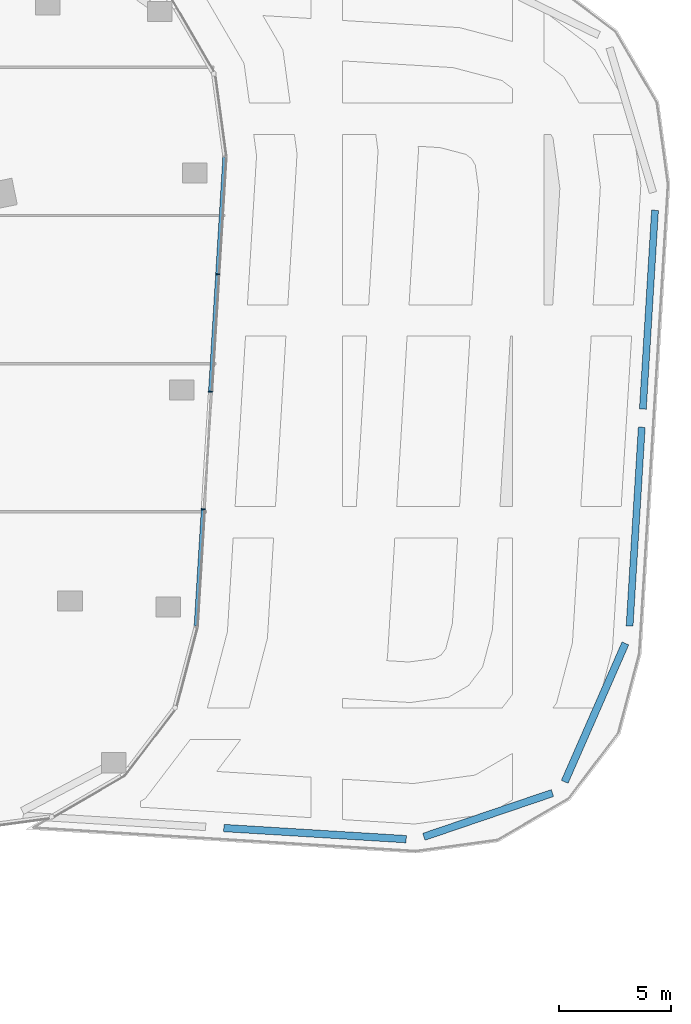
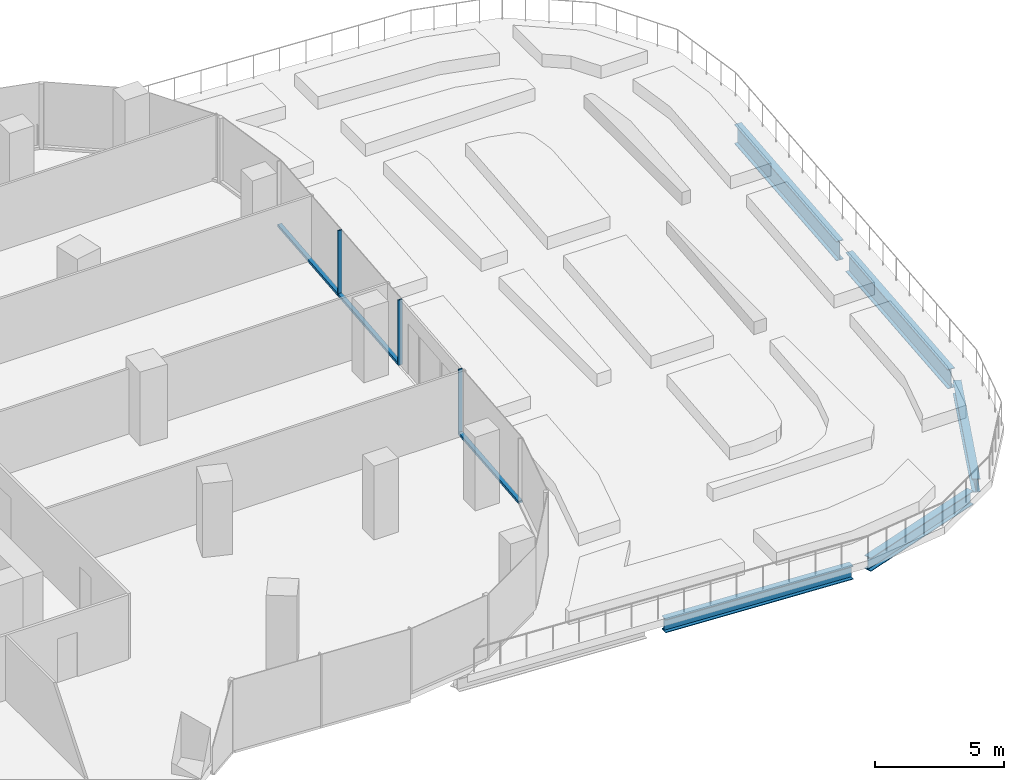
# One storey, part 8 of 26: 5 beams, 5 members, 1 element without a shape of its own.
"""IFC4 building model written with IfcOpenShell, lengths in metres."""

from ifc_helpers import new_model, si_unit, direction, frame, origin, origin_2d, place, context, subcontext, project, spatial, rectangle, i_section, extrude, material, material_profile, profile_set, type_object, element, aggregate, save


model = new_model("IFC4")

# Units and contexts
model_context = context("Model", 3, precision=1e-05, world=origin(), true_north=direction((0.0, 1.0)))
body_context = subcontext(model_context, "Body", "Model", "MODEL_VIEW")
ifc_project = project(units=[si_unit("LENGTHUNIT", "METRE"), si_unit("AREAUNIT", "SQUARE_METRE"), si_unit("VOLUMEUNIT", "CUBIC_METRE"), si_unit("PLANEANGLEUNIT", "RADIAN"), si_unit("MASSUNIT", "GRAM", prefix="KILO")], contexts=[model_context])

# Site, building, storey
site_placement = place(None, origin())
site = spatial("IfcSite", under=ifc_project, at=site_placement, CompositionType="ELEMENT")
building_placement = place(site_placement, origin())
building = spatial("IfcBuilding", under=site, at=building_placement, Name="Orlundy Tower", CompositionType="ELEMENT")
storey_placement = place(building_placement, frame((0.0, 0.0, 156.10009765625)))
storey = spatial("IfcBuildingStorey", under=building, at=storey_placement, Name="L40", CompositionType="ELEMENT", Elevation=156.10009765625)

# Curtain wall, members
ifc_material_1 = material(Name="Aluminium bronze anodised", Category="aluminium")
curtain_wall_type = type_object("IfcCurtainWallType", Name="CW1 wall", PredefinedType="NOTDEFINED", material=ifc_material_1)
curtain_wall_placement = place(storey_placement, origin())
curtain_wall = element("IfcCurtainWall", 1, at=curtain_wall_placement, inside=storey, type_object=curtain_wall_type, Name="CW1 run 011", PredefinedType="NOTDEFINED")
ifc_material_2 = material(Name="Aluminium bronze anodised", Category="aluminium")
ifc_material_profile_1 = material_profile(ifc_material_2, rectangle(XDim=0.179931640625, YDim=0.050048828125, at=origin_2d()), Name="CW1 mullion 50x180")
ifc_profile_set_1 = profile_set([ifc_material_profile_1], Name="Aluminium bronze anodised")
member_type_1 = type_object("IfcMemberType", Name="CW1 mullion 50x180", PredefinedType="MULLION", material=ifc_profile_set_1)
member_1_placement = place(storey_placement, frame((40.834228515625, 2.76220703125, 0.0), z_axis=(0.0, 0.0, 1.0), x_axis=(0.998134884544, -0.061047131434, 0.0)))
member_1 = element("IfcMember", 2, at=member_1_placement, type_object=member_type_1, Name="CW1 mullion 33", PredefinedType="MULLION", context=body_context, shape_type="SweptSolid", body=[
    extrude(rectangle(XDim=0.179931640625, YDim=0.050048828125, at=origin_2d()), origin(), (0.0, 0.0, 1.0), 3.099853515625),
])
member_2_placement = place(storey_placement, frame((40.513916015625, -2.47802734375, 0.0), z_axis=(0.0, 0.0, 1.0), x_axis=(0.998134884544, -0.061047131434, 0.0)))
member_2 = element("IfcMember", 3, at=member_2_placement, type_object=member_type_1, Name="CW1 mullion 34", PredefinedType="MULLION", context=body_context, shape_type="SweptSolid", body=[
    extrude(rectangle(XDim=0.179931640625, YDim=0.050048828125, at=origin_2d()), origin(), (0.0, 0.0, 1.0), 3.099853515625),
])
member_3_placement = place(storey_placement, frame((40.193359375, -7.71826171875, 0.0), z_axis=(0.0, 0.0, 1.0), x_axis=(0.998134884544, -0.061047131434, 0.0)))
member_3 = element("IfcMember", 4, at=member_3_placement, type_object=member_type_1, Name="CW1 mullion 35", PredefinedType="MULLION", context=body_context, shape_type="SweptSolid", body=[
    extrude(rectangle(XDim=0.179931640625, YDim=0.050048828125, at=origin_2d()), origin(), (0.0, 0.0, 1.0), 3.099853515625),
])
ifc_material_3 = material(Name="Aluminium bronze anodised", Category="aluminium")
ifc_material_profile_2 = material_profile(ifc_material_3, rectangle(XDim=0.179931640625, YDim=0.1201171875, at=origin_2d()), Name="CW1 transom 180x120")
ifc_profile_set_2 = profile_set([ifc_material_profile_2], Name="Aluminium bronze anodised")
member_type_2 = type_object("IfcMemberType", Name="CW1 transom 180x120", PredefinedType="USERDEFINED", material=ifc_profile_set_2)
member_4_placement = place(storey_placement, frame((41.15380859375, 7.986328125, 0.059814453125), z_axis=(-0.061041245659, -0.998135244508, 0.0), x_axis=(0.998135244508, -0.061041245659, 0.0)))
member_4 = element("IfcMember", 5, at=member_4_placement, type_object=member_type_2, Name="CW1 transom", ObjectType="TRANSOM", PredefinedType="USERDEFINED", context=body_context, shape_type="SweptSolid", body=[
    extrude(rectangle(XDim=0.179931640625, YDim=0.1201171875, at=origin_2d()), origin(), (0.0, 0.0, 1.0), 10.458984375),
])
member_5_placement = place(storey_placement, frame((40.19189453125, -7.7431640625, 0.059814453125), z_axis=(-0.061070992329, -0.998133424897, 0.0), x_axis=(0.998133424897, -0.061070992329, 0.0)))
member_5 = element("IfcMember", 6, at=member_5_placement, type_object=member_type_2, Name="CW1 transom", ObjectType="TRANSOM", PredefinedType="USERDEFINED", context=body_context, shape_type="SweptSolid", body=[
    extrude(rectangle(XDim=0.179931640625, YDim=0.1201171875, at=origin_2d()), origin(), (0.0, 0.0, 1.0), 5.208984375),
])
aggregate(curtain_wall, [member_1, member_2, member_3, member_4, member_5])

# Beams
ifc_material_4 = material(Name="Steel ASTM A992 Gr 50", Category="steel")
ifc_material_profile_3 = material_profile(ifc_material_4, i_section(OverallWidth=0.3291015625, OverallDepth=0.635009765625, WebThickness=0.017822265625, FlangeThickness=0.031005859375, at=origin_2d()), Name="W24X162")
ifc_profile_set_3 = profile_set([ifc_material_profile_3], Name="Steel ASTM A992 Gr 50")
beam_type_1 = type_object("IfcBeamType", Name="TERRACE EDGE BEAM beam W24X162", PredefinedType="BEAM", material=ifc_profile_set_3)
beam_1_placement = place(storey_placement, frame((59.033447265625, -13.7099609375, -0.717529296875), z_axis=(-0.401634875796, -0.915799883459, 0.0), x_axis=(0.915799883459, -0.401634875796, 0.0)))
element("IfcBeam", 7, at=beam_1_placement, inside=storey, type_object=beam_type_1, Name="Terrace edge beam L40-1-10", PredefinedType="BEAM", context=body_context, shape_type="SweptSolid", body=[
    extrude(i_section(OverallWidth=0.3291015625, OverallDepth=0.635009765625, WebThickness=0.017822265625, FlangeThickness=0.031005859375, at=origin_2d()), origin(), (0.0, 0.0, 1.0), 6.747314453125),
])
beam_2_placement = place(storey_placement, frame((55.777587890625, -20.390380859375, -0.717529296875), z_axis=(-0.94674918002, -0.321972033151, 0.0), x_axis=(0.321972033151, -0.94674918002, 0.0)))
element("IfcBeam", 8, at=beam_2_placement, inside=storey, type_object=beam_type_1, Name="Terrace edge beam L40-1-11", PredefinedType="BEAM", context=body_context, shape_type="SweptSolid", body=[
    extrude(i_section(OverallWidth=0.3291015625, OverallDepth=0.635009765625, WebThickness=0.017822265625, FlangeThickness=0.031005859375, at=origin_2d()), origin(), (0.0, 0.0, 1.0), 6.06298828125),
])
beam_3_placement = place(storey_placement, frame((49.249755859375, -22.4482421875, -0.717529296875), z_axis=(-0.99813780846, 0.060999305915, 0.0), x_axis=(-0.060999305915, -0.99813780846, 0.0)))
element("IfcBeam", 9, at=beam_3_placement, inside=storey, type_object=beam_type_1, Name="Terrace edge beam L40-1-12", PredefinedType="BEAM", context=body_context, shape_type="SweptSolid", body=[
    extrude(i_section(OverallWidth=0.3291015625, OverallDepth=0.635009765625, WebThickness=0.017822265625, FlangeThickness=0.031005859375, at=origin_2d()), origin(), (0.0, 0.0, 1.0), 8.15673828125),
])
ifc_material_5 = material(Name="Steel ASTM A992 Gr 50", Category="steel")
ifc_material_profile_4 = material_profile(ifc_material_5, i_section(OverallWidth=0.3076171875, OverallDepth=0.9267578125, WebThickness=0.01953125, FlangeThickness=0.031982421875, at=origin_2d()), Name="W36X194")
ifc_profile_set_4 = profile_set([ifc_material_profile_4], Name="Steel ASTM A992 Gr 50")
beam_type_2 = type_object("IfcBeamType", Name="TERRACE EDGE BEAM beam W36X194", PredefinedType="BEAM", material=ifc_profile_set_4)
for number, where, z_axis, x_axis, name in (
    (10, (60.355224609375, 5.620849609375, -0.863525390625), (-0.061020725835, -0.998136499192, 0.0), (0.998136499192, -0.061020725835, 0.0), "Terrace edge beam L40-1-08"),
    (11, (59.76318359375, -4.061279296875, -0.863525390625), (-0.061020725835, -0.998136499192, 0.0), (0.998136499192, -0.061020725835, 0.0), "Terrace edge beam L40-1-09"),
):
    element("IfcBeam", number, at=place(storey_placement, frame(where, z_axis=z_axis, x_axis=x_axis)), inside=storey, type_object=beam_type_2, Name=name, PredefinedType="BEAM", context=body_context, shape_type="SweptSolid", body=[
        extrude(i_section(OverallWidth=0.3076171875, OverallDepth=0.9267578125, WebThickness=0.01953125, FlangeThickness=0.031982421875, at=origin_2d()), origin(), (0.0, 0.0, 1.0), 8.89013671875),
    ])

save(model, "model.ifc")
